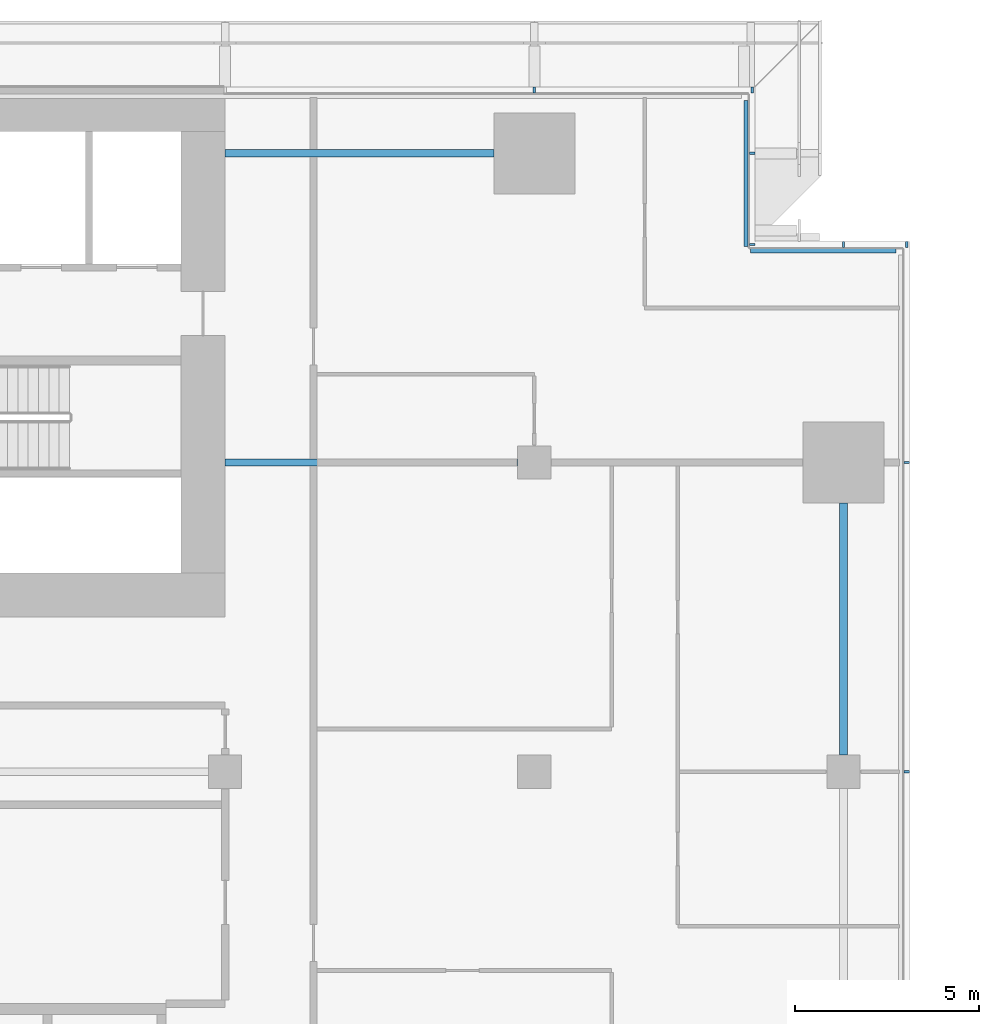
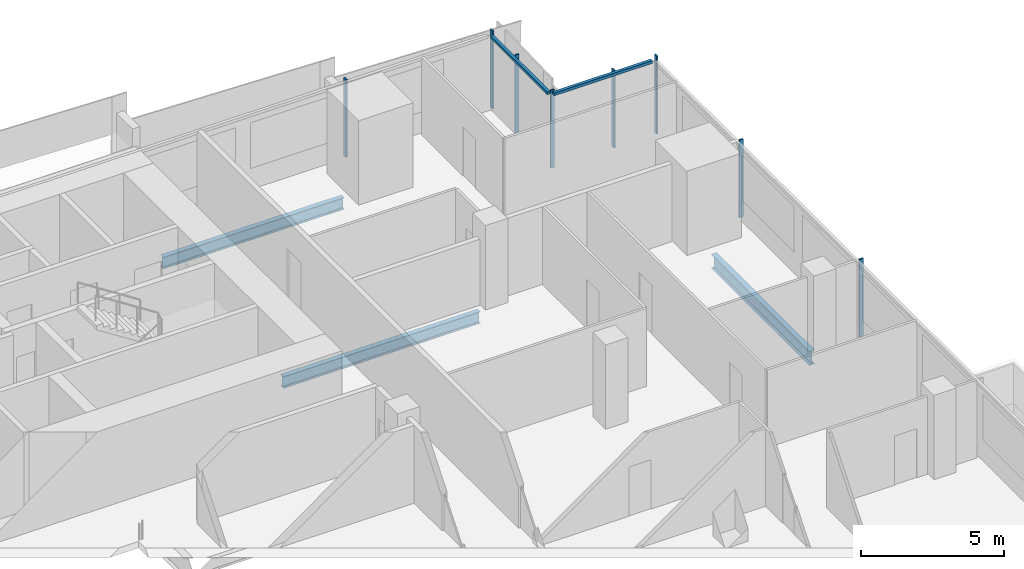
# One storey, part 13 of 29: 10 members, 3 beams, 4 elements without a shape of their own.
"""IFC4 building model written with IfcOpenShell, lengths in metres."""

from ifc_helpers import new_model, si_unit, direction, frame, origin, origin_2d, place, context, subcontext, project, spatial, rectangle, i_section, extrude, material, material_profile, profile_set, type_object, element, aggregate, save


model = new_model("IFC4")

# Units and contexts
model_context = context("Model", 3, precision=1e-05, world=origin(), true_north=direction((0.0, 1.0)))
body_context = subcontext(model_context, "Body", "Model", "MODEL_VIEW")
ifc_project = project(units=[si_unit("LENGTHUNIT", "METRE"), si_unit("AREAUNIT", "SQUARE_METRE"), si_unit("VOLUMEUNIT", "CUBIC_METRE"), si_unit("PLANEANGLEUNIT", "RADIAN"), si_unit("MASSUNIT", "GRAM", prefix="KILO")], contexts=[model_context])

# Site, building, storey
site_placement = place(None, origin())
site = spatial("IfcSite", under=ifc_project, at=site_placement, CompositionType="ELEMENT")
building_placement = place(site_placement, origin())
building = spatial("IfcBuilding", under=site, at=building_placement, Name="Saffron Gate Tower", CompositionType="ELEMENT")
storey_placement = place(building_placement, frame((0.0, 0.0, 58.800048828125)))
storey = spatial("IfcBuildingStorey", under=building, at=storey_placement, Name="L13", CompositionType="ELEMENT", Elevation=58.800048828125)

# Beams
ifc_material_1 = material(Name="Structural steel S355", Category="steel")
ifc_material_profile_1 = material_profile(ifc_material_1, i_section(OverallWidth=0.199951171875, OverallDepth=0.5, WebThickness=0.01025390625, FlangeThickness=0.01611328125, FilletRadius=0.02099609375, at=origin_2d()))
ifc_profile_set_1 = profile_set([ifc_material_profile_1], Name="Structural steel S355")
beam_type_1 = type_object("IfcBeamType", Name="B10 IPE 500", PredefinedType="BEAM", material=ifc_profile_set_1)
beam_1_placement = place(storey_placement, frame((116.550048828125, 65.39990234375, -0.530029296875), z_axis=(-1.0, 0.0, 0.0), x_axis=(0.0, -1.0, 0.0)))
element("IfcBeam", 1, at=beam_1_placement, inside=storey, type_object=beam_type_1, Name="B10 CORE TIE BEAM", PredefinedType="BEAM", context=body_context, shape_type="SweptSolid", body=[
    extrude(i_section(OverallWidth=0.199951171875, OverallDepth=0.5, WebThickness=0.01025390625, FlangeThickness=0.01611328125, FilletRadius=0.02099609375, at=origin_2d()), origin(), (0.0, 0.0, 1.0), 7.949951171875),
])
beam_2_placement = place(storey_placement, frame((115.89990234375, 73.800048828125, -0.530029296875), z_axis=(-1.0, 0.0, 0.0), x_axis=(0.0, -1.0, 0.0)))
element("IfcBeam", 2, at=beam_2_placement, inside=storey, type_object=beam_type_1, Name="B10 CORE TIE BEAM", PredefinedType="BEAM", context=body_context, shape_type="SweptSolid", body=[
    extrude(i_section(OverallWidth=0.199951171875, OverallDepth=0.5, WebThickness=0.01025390625, FlangeThickness=0.01611328125, FilletRadius=0.02099609375, at=origin_2d()), origin(), (0.0, 0.0, 1.0), 7.2998046875),
])
ifc_material_profile_2 = material_profile(ifc_material_1, i_section(OverallWidth=0.219970703125, OverallDepth=0.60009765625, WebThickness=0.011962890625, FlangeThickness=0.01904296875, FilletRadius=0.02392578125, at=origin_2d()))
ifc_profile_set_2 = profile_set([ifc_material_profile_2], Name="Structural steel S355")
beam_type_2 = type_object("IfcBeamType", Name="B16 IPE 600", PredefinedType="SPANDREL", material=ifc_profile_set_2)
beam_3_placement = place(storey_placement, frame((125.39990234375, 57.449951171875, -0.580078125), z_axis=(0.0, 1.0, 0.0), x_axis=(-1.0, 0.0, 0.0)))
element("IfcBeam", 3, at=beam_3_placement, inside=storey, type_object=beam_type_2, Name="B16 SPANDREL BEAM", PredefinedType="SPANDREL", context=body_context, shape_type="SweptSolid", body=[
    extrude(i_section(OverallWidth=0.219970703125, OverallDepth=0.60009765625, WebThickness=0.011962890625, FlangeThickness=0.01904296875, FilletRadius=0.02392578125, at=origin_2d()), origin(), (0.0, 0.0, 1.0), 6.85009765625),
])

# Curtain wall, members
ifc_material_2 = material(Name="Aluminium, bronze anodised", Category="aluminium")
curtain_wall_type_1 = type_object("IfcCurtainWallType", Name="CWS2 curtain wall side facades", PredefinedType="NOTDEFINED", material=ifc_material_2)
curtain_wall_1_placement = place(storey_placement, origin())
curtain_wall_1 = element("IfcCurtainWall", 4, at=curtain_wall_1_placement, inside=storey, type_object=curtain_wall_type_1, Name="CWS2 run 4", PredefinedType="NOTDEFINED")
ifc_material_profile_3 = material_profile(ifc_material_2, rectangle(XDim=0.159912109375, YDim=0.06005859375, at=origin_2d()))
ifc_profile_set_3 = profile_set([ifc_material_profile_3], Name="Aluminium, bronze anodised")
member_type_1 = type_object("IfcMemberType", Name="CWS2 mullion 60x160", PredefinedType="MULLION", material=ifc_profile_set_3)
member_1_placement = place(storey_placement, frame((127.1201171875, 57.0, 0.0), z_axis=(0.0, 0.0, 1.0), x_axis=(-1.0, 0.0, 0.0)))
member_1 = element("IfcMember", 5, at=member_1_placement, type_object=member_type_1, Name="CWS2 mullion 4", PredefinedType="MULLION", context=body_context, shape_type="SweptSolid", body=[
    extrude(rectangle(XDim=0.159912109375, YDim=0.06005859375, at=origin_2d()), origin(), (0.0, 0.0, 1.0), 3.320068359375),
])
member_2_placement = place(storey_placement, frame((127.1201171875, 65.39990234375, 0.0), z_axis=(0.0, 0.0, 1.0), x_axis=(-1.0, 0.0, 0.0)))
member_2 = element("IfcMember", 6, at=member_2_placement, type_object=member_type_1, Name="CWS2 mullion 5", PredefinedType="MULLION", context=body_context, shape_type="SweptSolid", body=[
    extrude(rectangle(XDim=0.159912109375, YDim=0.06005859375, at=origin_2d()), origin(), (0.0, 0.0, 1.0), 3.320068359375),
])
aggregate(curtain_wall_1, [member_1, member_2])

curtain_wall_type_2 = type_object("IfcCurtainWallType", Name="CWS3 curtain wall rear facade", PredefinedType="NOTDEFINED", material=ifc_material_2)
curtain_wall_2_placement = place(storey_placement, origin())
curtain_wall_2 = element("IfcCurtainWall", 7, at=curtain_wall_2_placement, inside=storey, type_object=curtain_wall_type_2, Name="CWS3 run 7", PredefinedType="NOTDEFINED")
ifc_material_profile_4 = material_profile(ifc_material_2, rectangle(XDim=0.159912109375, YDim=0.070068359375, at=origin_2d()))
ifc_profile_set_4 = profile_set([ifc_material_profile_4], Name="Aluminium, bronze anodised")
member_type_2 = type_object("IfcMemberType", Name="CWS3 mullion 70x160", PredefinedType="MULLION", material=ifc_profile_set_4)
member_3_placement = place(storey_placement, frame((122.919921875, 75.52001953125, 0.0), z_axis=(0.0, 0.0, 1.0), x_axis=(0.0, -1.0, 0.0)))
member_3 = element("IfcMember", 8, at=member_3_placement, type_object=member_type_2, Name="CWS3 mullion 1", PredefinedType="MULLION", context=body_context, shape_type="SweptSolid", body=[
    extrude(rectangle(XDim=0.159912109375, YDim=0.070068359375, at=origin_2d()), origin(), (0.0, 0.0, 1.0), 3.320068359375),
])
member_4_placement = place(storey_placement, frame((117.0, 75.52001953125, 0.0), z_axis=(0.0, 0.0, 1.0), x_axis=(0.0, -1.0, 0.0)))
member_4 = element("IfcMember", 9, at=member_4_placement, type_object=member_type_2, Name="CWS3 mullion 2", PredefinedType="MULLION", context=body_context, shape_type="SweptSolid", body=[
    extrude(rectangle(XDim=0.159912109375, YDim=0.070068359375, at=origin_2d()), origin(), (0.0, 0.0, 1.0), 3.320068359375),
])
aggregate(curtain_wall_2, [member_3, member_4])

# Curtain wall, member
curtain_wall_type_3 = type_object("IfcCurtainWallType", Name="CWS4 curtain wall corner returns", PredefinedType="NOTDEFINED", material=ifc_material_2)
curtain_wall_3_placement = place(storey_placement, origin())
curtain_wall_3 = element("IfcCurtainWall", 10, at=curtain_wall_3_placement, inside=storey, type_object=curtain_wall_type_3, Name="CWS4 run 5", PredefinedType="NOTDEFINED")
ifc_material_profile_5 = material_profile(ifc_material_2, rectangle(XDim=0.1201171875, YDim=0.1201171875, at=origin_2d()))
ifc_profile_set_5 = profile_set([ifc_material_profile_5], Name="Aluminium, bronze anodised")
member_type_3 = type_object("IfcMemberType", Name="CWS4 head transom", PredefinedType="USERDEFINED", material=ifc_profile_set_5)
member_5_placement = place(storey_placement, frame((126.83203125, 71.152099609375, 3.260009765625), z_axis=(-1.0, 0.0, 0.0), x_axis=(0.0, -1.0, 0.0)))
member_5 = element("IfcMember", 11, at=member_5_placement, type_object=member_type_3, Name="CWS4 head transom", ObjectType="TRANSOM", PredefinedType="USERDEFINED", context=body_context, shape_type="SweptSolid", body=[
    extrude(rectangle(XDim=0.1201171875, YDim=0.1201171875, at=origin_2d()), origin(), (0.0, 0.0, 1.0), 3.9599609375),
])

curtain_wall_4_placement = place(storey_placement, origin())
curtain_wall_4 = element("IfcCurtainWall", 12, at=curtain_wall_4_placement, inside=storey, type_object=curtain_wall_type_3, Name="CWS4 run 6", PredefinedType="NOTDEFINED")
member_6_placement = place(storey_placement, frame((122.751953125, 71.27197265625, 3.260009765625), z_axis=(0.0, 1.0, 0.0), x_axis=(-1.0, 0.0, 0.0)))
member_6 = element("IfcMember", 13, at=member_6_placement, type_object=member_type_3, Name="CWS4 head transom", ObjectType="TRANSOM", PredefinedType="USERDEFINED", context=body_context, shape_type="SweptSolid", body=[
    extrude(rectangle(XDim=0.1201171875, YDim=0.1201171875, at=origin_2d()), origin(), (0.0, 0.0, 1.0), 3.9599609375),
])

# Member
ifc_material_profile_6 = material_profile(ifc_material_2, rectangle(XDim=0.159912109375, YDim=0.06005859375, at=origin_2d()))
ifc_profile_set_6 = profile_set([ifc_material_profile_6], Name="Aluminium, bronze anodised")
member_type_4 = type_object("IfcMemberType", Name="CWS4 mullion 60x160", PredefinedType="MULLION", material=ifc_profile_set_6)
member_7_placement = place(storey_placement, frame((127.1201171875, 71.320068359375, 0.0), z_axis=(0.0, 0.0, 1.0), x_axis=(0.0, -1.0, 0.0)))
member_7 = element("IfcMember", 14, at=member_7_placement, type_object=member_type_4, Name="CWS4 mullion 1", PredefinedType="MULLION", context=body_context, shape_type="SweptSolid", body=[
    extrude(rectangle(XDim=0.159912109375, YDim=0.06005859375, at=origin_2d()), origin(), (0.0, 0.0, 1.0), 3.320068359375),
])

member_8_placement = place(storey_placement, frame((125.39990234375, 71.320068359375, 0.0), z_axis=(0.0, 0.0, 1.0), x_axis=(0.0, -1.0, 0.0)))
member_8 = element("IfcMember", 15, at=member_8_placement, type_object=member_type_4, Name="CWS4 mullion 2", PredefinedType="MULLION", context=body_context, shape_type="SweptSolid", body=[
    extrude(rectangle(XDim=0.159912109375, YDim=0.06005859375, at=origin_2d()), origin(), (0.0, 0.0, 1.0), 3.320068359375),
])

aggregate(curtain_wall_3, [member_7, member_8, member_5])

member_9_placement = place(storey_placement, frame((122.919921875, 71.320068359375, 0.0), z_axis=(0.0, 0.0, 1.0), x_axis=(-1.0, 0.0, 0.0)))
member_9 = element("IfcMember", 16, at=member_9_placement, type_object=member_type_4, Name="CWS4 mullion 1", PredefinedType="MULLION", context=body_context, shape_type="SweptSolid", body=[
    extrude(rectangle(XDim=0.159912109375, YDim=0.06005859375, at=origin_2d()), origin(), (0.0, 0.0, 1.0), 3.320068359375),
])

member_10_placement = place(storey_placement, frame((122.919921875, 73.800048828125, 0.0), z_axis=(0.0, 0.0, 1.0), x_axis=(-1.0, 0.0, 0.0)))
member_10 = element("IfcMember", 17, at=member_10_placement, type_object=member_type_4, Name="CWS4 mullion 2", PredefinedType="MULLION", context=body_context, shape_type="SweptSolid", body=[
    extrude(rectangle(XDim=0.159912109375, YDim=0.06005859375, at=origin_2d()), origin(), (0.0, 0.0, 1.0), 3.320068359375),
])

aggregate(curtain_wall_4, [member_9, member_10, member_6])

save(model, "model.ifc")
